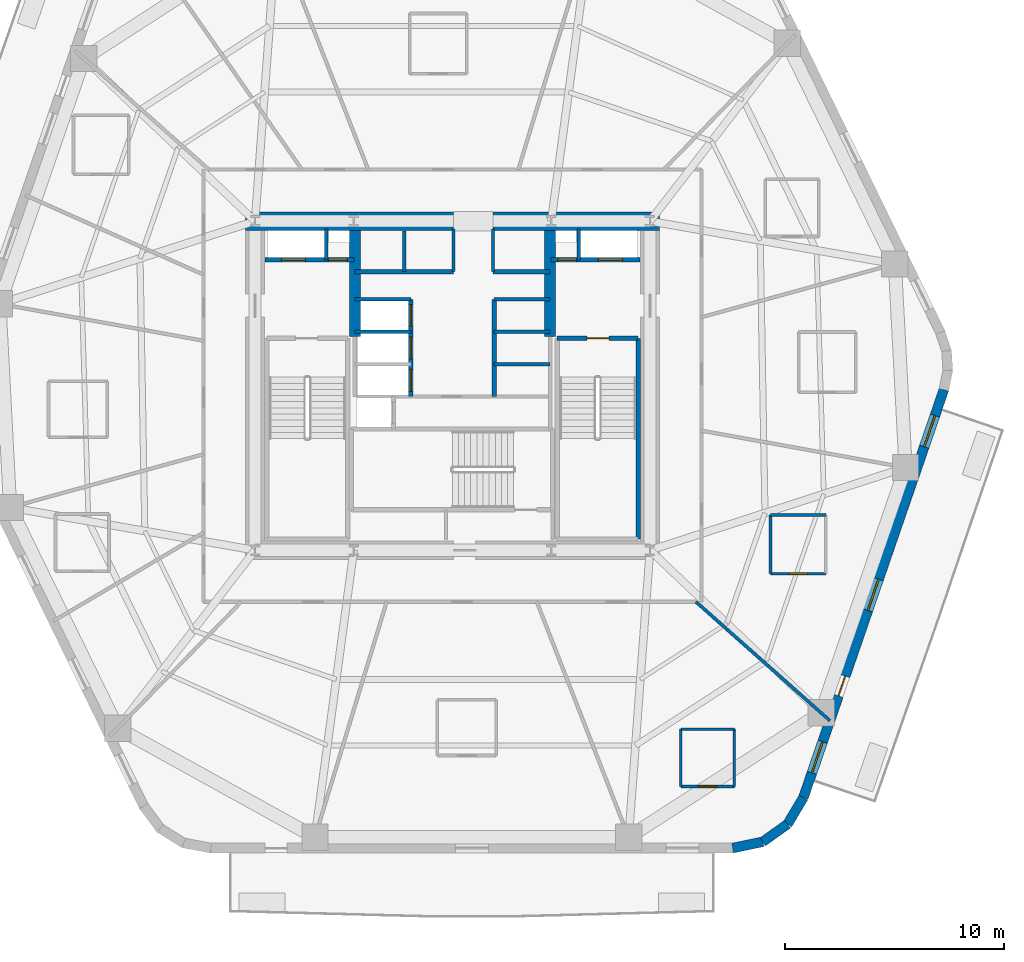
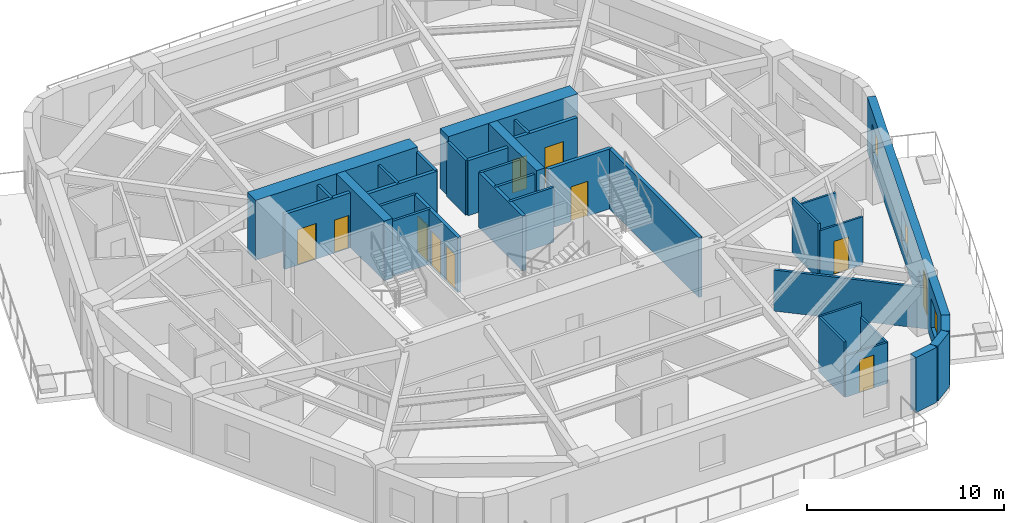
# One storey, part 4 of 8: 34 walls, 11 doors, 3 windows, 14 openings.
"""IFC4 building model written with IfcOpenShell, lengths in metres."""

from ifc_helpers import new_model, si_unit, direction, frame, frame_2d, origin, place, context, subcontext, project, spatial, rectangle, extrude, material, layer, layer_set, type_object, element, fill, save


model = new_model("IFC4")

# Units and contexts
model_context = context("Model", 3, precision=1e-05, world=origin(), true_north=direction((0.0, 1.0)))
body_context = subcontext(model_context, "Body", "Model", "MODEL_VIEW")
ifc_project = project(units=[si_unit("LENGTHUNIT", "METRE"), si_unit("AREAUNIT", "SQUARE_METRE"), si_unit("VOLUMEUNIT", "CUBIC_METRE"), si_unit("PLANEANGLEUNIT", "RADIAN"), si_unit("MASSUNIT", "GRAM", prefix="KILO")], contexts=[model_context])

# Site, building, storey
site_placement = place(None, origin())
site = spatial("IfcSite", under=ifc_project, at=site_placement, CompositionType="ELEMENT")
building_placement = place(site_placement, origin())
building = spatial("IfcBuilding", under=site, at=building_placement, Name="Kilnhurst Terrace Hotel", CompositionType="ELEMENT")
storey_placement = place(building_placement, frame((0.0, 0.0, 132.10009765625)))
storey = spatial("IfcBuildingStorey", under=building, at=storey_placement, Name="L32", CompositionType="ELEMENT", Elevation=132.10009765625)

# Walls
ifc_material_1 = material(Name="Precast concrete C40/50", Category="concrete")
ifc_layer_1 = layer(ifc_material_1, 0.449951171875, Name="Precast concrete C40/50")
ifc_layer_set_1 = layer_set([ifc_layer_1], Name="Precast concrete C40/50")
wall_type_1 = type_object("IfcWallType", Name="WL-BRK-450", PredefinedType="SOLIDWALL", material=ifc_layer_set_1)
wall_1_placement = place(storey_placement, frame((12.7705078125, -21.074951171875, 0.0), z_axis=(0.0, 0.0, 1.0), x_axis=(0.97874281988, 0.205091424819, 0.0)))
element("IfcWall", 1, at=wall_1_placement, inside=storey, type_object=wall_type_1, Name="L32 Rounded Corner Brick Wall C2.1", PredefinedType="SOLIDWALL", context=body_context, shape_type="SweptSolid", body=[
    extrude(rectangle(XDim=1.40576171875, YDim=0.449951171875, at=frame_2d((0.702880859375, 0.0))), origin(), (0.0, 0.0, 1.0), 3.39990234375),
])
wall_2_placement = place(storey_placement, frame((14.146484375, -20.78662109375, 0.0), z_axis=(0.0, 0.0, 1.0), x_axis=(0.814162929117, 0.580636482536, 0.0)))
element("IfcWall", 2, at=wall_2_placement, inside=storey, type_object=wall_type_1, Name="L32 Rounded Corner Brick Wall C2.2", PredefinedType="SOLIDWALL", context=body_context, shape_type="SweptSolid", body=[
    extrude(rectangle(XDim=1.382080078125, YDim=0.449951171875, at=frame_2d((0.69091796875, 0.0))), origin(), (0.0, 0.0, 1.0), 3.39990234375),
])
wall_3_placement = place(storey_placement, frame((15.271728515625, -19.984130859375, 0.0), z_axis=(0.0, 0.0, 1.0), x_axis=(0.512579347361, 0.858639862025, 0.0)))
element("IfcWall", 3, at=wall_3_placement, inside=storey, type_object=wall_type_1, Name="L32 Rounded Corner Brick Wall C2.3", PredefinedType="SOLIDWALL", context=body_context, shape_type="SweptSolid", body=[
    extrude(rectangle(XDim=1.406005859375, YDim=0.449951171875, at=frame_2d((0.703125, 0.0))), origin(), (0.0, 0.0, 1.0), 3.39990234375),
])

# Wall, openings, door, windows
wall_4_placement = place(storey_placement, frame((15.992431640625, -18.77685546875, 0.0), z_axis=(0.0, 0.0, 1.0), x_axis=(0.325606988926, 0.945505202927, 0.0)))
wall_4 = element("IfcWall", 4, at=wall_4_placement, inside=storey, type_object=wall_type_1, Name="L32 Exterior Brick Facade Wall F2", PredefinedType="SOLIDWALL", context=body_context, shape_type="SweptSolid", body=[
    extrude(rectangle(XDim=19.66943359375, YDim=0.449951171875, at=frame_2d((9.834716796875, 0.0))), origin(), (0.0, 0.0, 1.0), 3.39990234375),
])
opening_1_placement = place(wall_4_placement, frame((4.908935546875, 0.0, 0.0)))
opening_1 = element("IfcOpeningElement", 5, at=opening_1_placement, cuts=wall_4, Name="Opening BD-950", PredefinedType="OPENING", context=body_context, shape_type="SweptSolid", body=[
    extrude(rectangle(XDim=0.949951171875, YDim=2.14990234375, at=frame_2d((0.47509765625, 1.074951171875))), frame((0.0, 0.23486328125, 0.0), z_axis=(0.0, -1.0, 0.0), x_axis=(1.0, 0.0, 0.0)), (0.0, 0.0, 1.0), 0.469970703125),
])
opening_2_placement = place(wall_4_placement, frame((1.197021484375, 0.0, 0.800048828125)))
opening_2 = element("IfcOpeningElement", 6, at=opening_2_placement, cuts=wall_4, Name="Opening W-02", PredefinedType="OPENING", context=body_context, shape_type="SweptSolid", body=[
    extrude(rectangle(XDim=1.5, YDim=1.800048828125, at=frame_2d((0.75, 0.89990234375))), frame((0.0, 0.23486328125, 0.0), z_axis=(0.0, -1.0, 0.0), x_axis=(1.0, 0.0, 0.0)), (0.0, 0.0, 1.0), 0.469970703125),
])
opening_3_placement = place(wall_4_placement, frame((9.030029296875, 0.0, 0.800048828125)))
opening_3 = element("IfcOpeningElement", 7, at=opening_3_placement, cuts=wall_4, Name="Opening W-02", PredefinedType="OPENING", context=body_context, shape_type="SweptSolid", body=[
    extrude(rectangle(XDim=1.5, YDim=1.800048828125, at=frame_2d((0.75, 0.89990234375))), frame((0.0, 0.23486328125, 0.0), z_axis=(0.0, -1.0, 0.0), x_axis=(1.0, 0.0, 0.0)), (0.0, 0.0, 1.0), 0.469970703125),
])
opening_4_placement = place(wall_4_placement, frame((16.91796875, 0.0, 0.800048828125)))
opening_4 = element("IfcOpeningElement", 8, at=opening_4_placement, cuts=wall_4, Name="Opening W-02", PredefinedType="OPENING", context=body_context, shape_type="SweptSolid", body=[
    extrude(rectangle(XDim=1.5, YDim=1.800048828125, at=frame_2d((0.75, 0.89990234375))), frame((0.0, 0.23486328125, 0.0), z_axis=(0.0, -1.0, 0.0), x_axis=(1.0, 0.0, 0.0)), (0.0, 0.0, 1.0), 0.469970703125),
])
ifc_material_2 = material(Name="Thermally Broken Bronze Aluminium Alloy 6063-T6 and Laminated Glass", Category="aluminium")
door_type_1 = type_object("IfcDoorType", Name="DR-EXT-BAL-950", OperationType="NOTDEFINED", PredefinedType="DOOR", material=ifc_material_2)
door_1_placement = place(opening_1_placement, origin())
door_1 = element("IfcDoor", 9, at=door_1_placement, inside=storey, type_object=door_type_1, Name="L32 Planted Balcony Door BAL-L1B", OperationType="SINGLE_SWING_RIGHT", OverallHeight=2.14990234375, OverallWidth=0.949951171875, PredefinedType="DOOR", context=body_context, shape_type="SweptSolid", body=[
    extrude(rectangle(XDim=0.949951171875, YDim=2.14990234375, at=frame_2d((0.47509765625, 1.074951171875))), frame((0.0, 0.02490234375, 0.0), z_axis=(0.0, -1.0, 0.0), x_axis=(1.0, 0.0, 0.0)), (0.0, 0.0, 1.0), 0.050048828125),
])
fill(opening_1, door_1)
ifc_material_3 = material(Name="Thermally Broken Bronze Aluminium Alloy 6063-T6 and Low-E Glass", Category="aluminium")
window_type = type_object("IfcWindowType", Name="WIN-1500X1800", PartitioningType="SINGLE_PANEL", PredefinedType="WINDOW", material=ifc_material_3)
window_1_placement = place(opening_2_placement, origin())
window_1 = element("IfcWindow", 10, at=window_1_placement, inside=storey, type_object=window_type, Name="L32 Deep-Set Masonry Window F2.1", OverallHeight=1.800048828125, OverallWidth=1.5, PartitioningType="SINGLE_PANEL", PredefinedType="WINDOW", context=body_context, shape_type="SweptSolid", body=[
    extrude(rectangle(XDim=1.5, YDim=1.800048828125, at=frame_2d((0.75, 0.89990234375))), frame((0.0, 0.030029296875, 0.0), z_axis=(0.0, -1.0, 0.0), x_axis=(1.0, 0.0, 0.0)), (0.0, 0.0, 1.0), 0.06005859375),
])
fill(opening_2, window_1)
window_2_placement = place(opening_3_placement, origin())
window_2 = element("IfcWindow", 11, at=window_2_placement, inside=storey, type_object=window_type, Name="L32 Deep-Set Masonry Window F2.2", OverallHeight=1.800048828125, OverallWidth=1.5, PartitioningType="SINGLE_PANEL", PredefinedType="WINDOW", context=body_context, shape_type="SweptSolid", body=[
    extrude(rectangle(XDim=1.5, YDim=1.800048828125, at=frame_2d((0.75, 0.89990234375))), frame((0.0, 0.030029296875, 0.0), z_axis=(0.0, -1.0, 0.0), x_axis=(1.0, 0.0, 0.0)), (0.0, 0.0, 1.0), 0.06005859375),
])
fill(opening_3, window_2)
window_3_placement = place(opening_4_placement, origin())
window_3 = element("IfcWindow", 12, at=window_3_placement, inside=storey, type_object=window_type, Name="L32 Deep-Set Masonry Window F2.3", OverallHeight=1.800048828125, OverallWidth=1.5, PartitioningType="SINGLE_PANEL", PredefinedType="WINDOW", context=body_context, shape_type="SweptSolid", body=[
    extrude(rectangle(XDim=1.5, YDim=1.800048828125, at=frame_2d((0.75, 0.89990234375))), frame((0.0, 0.030029296875, 0.0), z_axis=(0.0, -1.0, 0.0), x_axis=(1.0, 0.0, 0.0)), (0.0, 0.0, 1.0), 0.06005859375),
])
fill(opening_4, window_3)

# Walls
ifc_material_4 = material(Name="Concrete C80/95", Category="concrete")
ifc_layer_2 = layer(ifc_material_4, 0.85009765625, Name="Concrete C80/95")
ifc_layer_set_2 = layer_set([ifc_layer_2], Name="Concrete C80/95")
wall_type_2 = type_object("IfcWallType", Name="WL-CORE-850", PredefinedType="SHEAR", material=ifc_layer_set_2)
wall_5_placement = place(storey_placement, frame((-9.425048828125, 7.5, 0.0), z_axis=(0.0, 0.0, 1.0), x_axis=(1.0, 0.0, 0.0)))
element("IfcWall", 13, at=wall_5_placement, inside=storey, type_object=wall_type_2, Name="L32 Core North West Shear Wall", PredefinedType="SHEAR", context=body_context, shape_type="SweptSolid", body=[
    extrude(rectangle(XDim=9.47509765625, YDim=0.85009765625, at=frame_2d((4.737548828125, 0.0))), origin(), (0.0, 0.0, 1.0), 3.699951171875),
])
wall_6_placement = place(storey_placement, frame((1.85009765625, 7.5, 0.0), z_axis=(0.0, 0.0, 1.0), x_axis=(1.0, 0.0, 0.0)))
element("IfcWall", 14, at=wall_6_placement, inside=storey, type_object=wall_type_2, Name="L32 Core North East Shear Wall", PredefinedType="SHEAR", context=body_context, shape_type="SweptSolid", body=[
    extrude(rectangle(XDim=7.574951171875, YDim=0.85009765625, at=frame_2d((3.78759765625, 0.0))), origin(), (0.0, 0.0, 1.0), 3.699951171875),
])
ifc_material_5 = material(Name="Concrete C60/75", Category="concrete")
ifc_layer_3 = layer(ifc_material_5, 0.5, Name="Concrete C60/75")
ifc_layer_set_3 = layer_set([ifc_layer_3], Name="Concrete C60/75")
wall_type_3 = type_object("IfcWallType", Name="WL-CORE-WEB-500", PredefinedType="SHEAR", material=ifc_layer_set_3)
for number, where, z_axis, x_axis, name in (
    (15, (-4.449951171875, 2.25, 0.0), (0.0, 0.0, 1.0), (0.0, 1.0, 0.0), "L32 Core Internal West Shear Web"),
    (16, (4.449951171875, 2.25, 0.0), (0.0, 0.0, 1.0), (0.0, 1.0, 0.0), "L32 Core Internal East Shear Web"),
):
    element("IfcWall", number, at=place(storey_placement, frame(where, z_axis=z_axis, x_axis=x_axis)), inside=storey, type_object=wall_type_3, Name=name, PredefinedType="SHEAR", context=body_context, shape_type="SweptSolid", body=[
        extrude(rectangle(XDim=4.824951171875, YDim=0.5, at=frame_2d((2.41259765625, 0.0))), origin(), (0.0, 0.0, 1.0), 3.699951171875),
    ])
ifc_material_6 = material(Name="STC-58 Acoustic Twin-Frame Guestroom Demising Partition")
ifc_layer_4 = layer(ifc_material_6, 0.14990234375, Name="STC-58 Acoustic Twin-Frame Guestroom Demising Partition")
ifc_layer_set_4 = layer_set([ifc_layer_4], Name="STC-58 Acoustic Twin-Frame Guestroom Demising Partition")
wall_type_4 = type_object("IfcWallType", Name="WL-DEM-150", PredefinedType="PARTITIONING", material=ifc_layer_set_4)
wall_7_placement = place(storey_placement, frame((11.097900390625, -9.85009765625, 0.0), z_axis=(0.0, 0.0, 1.0), x_axis=(0.747904295103, -0.663806572253, 0.0)))
element("IfcWall", 17, at=wall_7_placement, inside=storey, type_object=wall_type_4, Name="L32 Interior Wall WL-L32-DEM-COL11-14-1", PredefinedType="PARTITIONING", context=body_context, shape_type="SweptSolid", body=[
    extrude(rectangle(XDim=8.160400390625, YDim=0.14990234375, at=frame_2d((4.080078125, 0.0))), origin(), (0.0, 0.0, 1.0), 2.539794921875),
])

# Wall, opening, door
ifc_material_7 = material(Name="120 mm Moisture-Resistant Tile-Backed Bathroom Partition")
ifc_layer_5 = layer(ifc_material_7, 0.1201171875, Name="120 mm Moisture-Resistant Tile-Backed Bathroom Partition")
ifc_layer_set_5 = layer_set([ifc_layer_5], Name="120 mm Moisture-Resistant Tile-Backed Bathroom Partition")
wall_type_5 = type_object("IfcWallType", Name="WL-PART-120", PredefinedType="PARTITIONING", material=ifc_layer_set_5)
wall_8_placement = place(storey_placement, frame((10.405029296875, -18.264892578125, 0.0), z_axis=(0.0, 0.0, 1.0), x_axis=(1.0, 0.0, 0.0)))
wall_8 = element("IfcWall", 18, at=wall_8_placement, inside=storey, type_object=wall_type_5, Name="L32 Interior Wall WL-L32-BTH-13-1", PredefinedType="PARTITIONING", context=body_context, shape_type="SweptSolid", body=[
    extrude(rectangle(XDim=2.43994140625, YDim=0.1201171875, at=frame_2d((1.219970703125, 0.0))), origin(), (0.0, 0.0, 1.0), 2.539794921875),
])
opening_5_placement = place(wall_8_placement, frame((0.794921875, 0.0, 0.0)))
opening_5 = element("IfcOpeningElement", 19, at=opening_5_placement, cuts=wall_8, Name="Opening D-08A", PredefinedType="OPENING", context=body_context, shape_type="SweptSolid", body=[
    extrude(rectangle(XDim=0.85009765625, YDim=2.030029296875, at=frame_2d((0.425048828125, 1.01513671875))), frame((0.0, 0.070068359375, 0.0), z_axis=(0.0, -1.0, 0.0), x_axis=(1.0, 0.0, 0.0)), (0.0, 0.0, 1.0), 0.14013671875),
])
ifc_material_8 = material(Name="Moisture-Resistant Lacquered En-suite Bathroom Door")
door_type_2 = type_object("IfcDoorType", Name="DR-INT-850", OperationType="NOTDEFINED", PredefinedType="DOOR", material=ifc_material_8)
door_2_placement = place(opening_5_placement, origin())
door_2 = element("IfcDoor", 20, at=door_2_placement, inside=storey, type_object=door_type_2, Name="L32 En-suite Bathroom Door 13", OperationType="SINGLE_SWING_RIGHT", OverallHeight=2.030029296875, OverallWidth=0.85009765625, PredefinedType="DOOR", context=body_context, shape_type="SweptSolid", body=[
    extrude(rectangle(XDim=0.85009765625, YDim=2.030029296875, at=frame_2d((0.425048828125, 1.01513671875))), frame((0.0, 0.02490234375, 0.0), z_axis=(0.0, -1.0, 0.0), x_axis=(1.0, 0.0, 0.0)), (0.0, 0.0, 1.0), 0.050048828125),
])
fill(opening_5, door_2)

# Walls
wall_9_placement = place(storey_placement, frame((12.844970703125, -18.264892578125, 0.0), z_axis=(0.0, 0.0, 1.0), x_axis=(0.0, 1.0, 0.0)))
element("IfcWall", 21, at=wall_9_placement, inside=storey, type_object=wall_type_5, Name="L32 Interior Wall WL-L32-BTH-13-2", PredefinedType="PARTITIONING", context=body_context, shape_type="SweptSolid", body=[
    extrude(rectangle(XDim=2.60986328125, YDim=0.1201171875, at=frame_2d((1.304931640625, 0.0))), origin(), (0.0, 0.0, 1.0), 2.539794921875),
])
wall_10_placement = place(storey_placement, frame((12.844970703125, -15.655029296875, 0.0), z_axis=(0.0, 0.0, 1.0), x_axis=(-1.0, 0.0, 0.0)))
element("IfcWall", 22, at=wall_10_placement, inside=storey, type_object=wall_type_5, Name="L32 Interior Wall WL-L32-BTH-13-3", PredefinedType="PARTITIONING", context=body_context, shape_type="SweptSolid", body=[
    extrude(rectangle(XDim=2.43994140625, YDim=0.1201171875, at=frame_2d((1.219970703125, 0.0))), origin(), (0.0, 0.0, 1.0), 3.39990234375),
])
wall_11_placement = place(storey_placement, frame((10.405029296875, -15.655029296875, 0.0), z_axis=(0.0, 0.0, 1.0), x_axis=(0.0, -1.0, 0.0)))
element("IfcWall", 23, at=wall_11_placement, inside=storey, type_object=wall_type_5, Name="L32 Interior Wall WL-L32-BTH-13-4", PredefinedType="PARTITIONING", context=body_context, shape_type="SweptSolid", body=[
    extrude(rectangle(XDim=2.60986328125, YDim=0.1201171875, at=frame_2d((1.304931640625, 0.0))), origin(), (0.0, 0.0, 1.0), 3.39990234375),
])

# Wall, opening, door
wall_12_placement = place(storey_placement, frame((14.493896484375, -8.570068359375, 0.0), z_axis=(0.0, 0.0, 1.0), x_axis=(1.0, 0.0, 0.0)))
wall_12 = element("IfcWall", 24, at=wall_12_placement, inside=storey, type_object=wall_type_5, Name="L32 Interior Wall WL-L32-BTH-14-1", PredefinedType="PARTITIONING", context=body_context, shape_type="SweptSolid", body=[
    extrude(rectangle(XDim=2.52001953125, YDim=0.1201171875, at=frame_2d((1.260009765625, 0.0))), origin(), (0.0, 0.0, 1.0), 2.972412109375),
])
opening_6_placement = place(wall_12_placement, frame((0.8349609375, 0.0, 0.0)))
opening_6 = element("IfcOpeningElement", 25, at=opening_6_placement, cuts=wall_12, Name="Opening D-08A", PredefinedType="OPENING", context=body_context, shape_type="SweptSolid", body=[
    extrude(rectangle(XDim=0.85009765625, YDim=2.030029296875, at=frame_2d((0.425048828125, 1.01513671875))), frame((0.0, 0.070068359375, 0.0), z_axis=(0.0, -1.0, 0.0), x_axis=(1.0, 0.0, 0.0)), (0.0, 0.0, 1.0), 0.14013671875),
])
door_3_placement = place(opening_6_placement, origin())
door_3 = element("IfcDoor", 26, at=door_3_placement, inside=storey, type_object=door_type_2, Name="L32 En-suite Bathroom Door 14", OperationType="SINGLE_SWING_LEFT", OverallHeight=2.030029296875, OverallWidth=0.85009765625, PredefinedType="DOOR", context=body_context, shape_type="SweptSolid", body=[
    extrude(rectangle(XDim=0.85009765625, YDim=2.030029296875, at=frame_2d((0.425048828125, 1.01513671875))), frame((0.0, 0.02490234375, 0.0), z_axis=(0.0, -1.0, 0.0), x_axis=(1.0, 0.0, 0.0)), (0.0, 0.0, 1.0), 0.050048828125),
])
fill(opening_6, door_3)

# Walls
wall_13_placement = place(storey_placement, frame((17.013916015625, -5.889892578125, 0.0), z_axis=(0.0, 0.0, 1.0), x_axis=(-1.0, 0.0, 0.0)))
element("IfcWall", 27, at=wall_13_placement, inside=storey, type_object=wall_type_5, Name="L32 Interior Wall WL-L32-BTH-14-3", PredefinedType="PARTITIONING", context=body_context, shape_type="SweptSolid", body=[
    extrude(rectangle(XDim=2.52001953125, YDim=0.1201171875, at=frame_2d((1.260009765625, 0.0))), origin(), (0.0, 0.0, 1.0), 2.83984375),
])
wall_14_placement = place(storey_placement, frame((14.493896484375, -5.889892578125, 0.0), z_axis=(0.0, 0.0, 1.0), x_axis=(0.0, -1.0, 0.0)))
element("IfcWall", 28, at=wall_14_placement, inside=storey, type_object=wall_type_5, Name="L32 Interior Wall WL-L32-BTH-14-4", PredefinedType="PARTITIONING", context=body_context, shape_type="SweptSolid", body=[
    extrude(rectangle(XDim=2.68017578125, YDim=0.1201171875, at=frame_2d((1.340087890625, 0.0))), origin(), (0.0, 0.0, 1.0), 3.39990234375),
])
ifc_material_9 = material(Name="Fire-Rated Gypsum Shaftliner Assembly")
ifc_layer_6 = layer(ifc_material_9, 0.14990234375, Name="Fire-Rated Gypsum Shaftliner Assembly")
ifc_layer_set_6 = layer_set([ifc_layer_6], Name="Fire-Rated Gypsum Shaftliner Assembly")
wall_type_6 = type_object("IfcWallType", Name="WL-SHAFT-150", PredefinedType="PARTITIONING", material=ifc_layer_set_6)
for number, where, z_axis, x_axis, name in (
    (29, (-5.75, 5.739990234375, 0.0), (0.0, 0.0, 1.0), (0.0, 1.0, 0.0), "L32 Interior Wall WL-L32-RIS1-DIV"),
    (30, (5.75, 5.739990234375, 0.0), (0.0, 0.0, 1.0), (0.0, 1.0, 0.0), "L32 Interior Wall WL-L32-RIS2-DIV"),
):
    element("IfcWall", number, at=place(storey_placement, frame(where, z_axis=z_axis, x_axis=x_axis)), inside=storey, type_object=wall_type_6, Name=name, PredefinedType="PARTITIONING", context=body_context, shape_type="SweptSolid", body=[
        extrude(rectangle(XDim=1.409912109375, YDim=0.14990234375, at=frame_2d((0.705078125, 0.0))), origin(), (0.0, 0.0, 1.0), 3.39990234375),
    ])
wall_15_placement = place(storey_placement, frame((-2.199951171875, 5.199951171875, 0.0), z_axis=(0.0, 0.0, 1.0), x_axis=(0.0, 1.0, 0.0)))
element("IfcWall", 31, at=wall_15_placement, inside=storey, type_object=wall_type_6, Name="L32 Interior Wall WL-L32-HR-DIV1", PredefinedType="PARTITIONING", context=body_context, shape_type="SweptSolid", body=[
    extrude(rectangle(XDim=1.85009765625, YDim=0.14990234375, at=frame_2d((0.925048828125, 0.0))), origin(), (0.0, 0.0, 1.0), 3.39990234375),
])
for number, where, z_axis, x_axis, name in (
    (32, (0.050048828125, 5.199951171875, 0.0), (0.0, 0.0, 1.0), (0.0, 1.0, 0.0), "L32 Interior Wall WL-L32-HR-PORTAL-W"),
    (33, (1.85009765625, 5.199951171875, 0.0), (0.0, 0.0, 1.0), (0.0, 1.0, 0.0), "L32 Interior Wall WL-L32-HR-PORTAL-E"),
):
    element("IfcWall", number, at=place(storey_placement, frame(where, z_axis=z_axis, x_axis=x_axis)), inside=storey, type_object=wall_type_6, Name=name, PredefinedType="PARTITIONING", context=body_context, shape_type="SweptSolid", body=[
        extrude(rectangle(XDim=1.949951171875, YDim=0.14990234375, at=frame_2d((0.97509765625, 0.0))), origin(), (0.0, 0.0, 1.0), 3.39990234375),
    ])
for number, where, z_axis, x_axis, name in (
    (34, (-4.449951171875, 3.93994140625, 0.0), (0.0, 0.0, 1.0), (1.0, 0.0, 0.0), "L32 Interior Wall WL-L32-LR-NORTH"),
    (35, (-4.449951171875, 2.4599609375, 0.0), (0.0, 0.0, 1.0), (1.0, 0.0, 0.0), "L32 Interior Wall WL-L32-LR-D2"),
    (36, (1.89990234375, 3.93994140625, 0.0), (0.0, 0.0, 1.0), (1.0, 0.0, 0.0), "L32 Interior Wall WL-L32-MR-NORTH"),
    (37, (1.89990234375, 0.97998046875, 0.0), (0.0, 0.0, 1.0), (1.0, 0.0, 0.0), "L32 Interior Wall WL-L32-MR-D1"),
    (38, (1.89990234375, 2.4599609375, 0.0), (0.0, 0.0, 1.0), (1.0, 0.0, 0.0), "L32 Interior Wall WL-L32-MR-D2"),
):
    element("IfcWall", number, at=place(storey_placement, frame(where, z_axis=z_axis, x_axis=x_axis)), inside=storey, type_object=wall_type_6, Name=name, PredefinedType="PARTITIONING", context=body_context, shape_type="SweptSolid", body=[
        extrude(rectangle(XDim=2.550048828125, YDim=0.14990234375, at=frame_2d((1.27490234375, 0.0))), origin(), (0.0, 0.0, 1.0), 3.39990234375),
    ])

# Wall, openings, doors
ifc_material_10 = material(Name="Autoclaved Aerated Concrete C30/37 and Gypsum Shaft Assembly", Category="concrete")
ifc_layer_7 = layer(ifc_material_10, 0.199951171875, Name="Autoclaved Aerated Concrete C30/37 and Gypsum Shaft Assembly")
ifc_layer_set_7 = layer_set([ifc_layer_7], Name="Autoclaved Aerated Concrete C30/37 and Gypsum Shaft Assembly")
wall_type_7 = type_object("IfcWallType", Name="WL-SHAFT-200", PredefinedType="PARTITIONING", material=ifc_layer_set_7)
wall_16_placement = place(storey_placement, frame((-8.550048828125, 5.739990234375, 0.0), z_axis=(0.0, 0.0, 1.0), x_axis=(1.0, 0.0, 0.0)))
wall_16 = element("IfcWall", 39, at=wall_16_placement, inside=storey, type_object=wall_type_7, Name="L32 Interior Wall WL-L32-FSAE1-S", PredefinedType="PARTITIONING", context=body_context, shape_type="SweptSolid", body=[
    extrude(rectangle(XDim=4.050048828125, YDim=0.199951171875, at=frame_2d((2.02490234375, 0.0))), origin(), (0.0, 0.0, 1.0), 3.39990234375),
])
opening_7_placement = place(wall_16_placement, frame((0.75, 0.0, 0.0)))
opening_7 = element("IfcOpeningElement", 40, at=opening_7_placement, cuts=wall_16, Name="Opening LD-F1", PredefinedType="OPENING", context=body_context, shape_type="SweptSolid", body=[
    extrude(rectangle(XDim=1.10009765625, YDim=2.199951171875, at=frame_2d((0.550048828125, 1.10009765625))), frame((0.0, 0.10986328125, 0.0), z_axis=(0.0, -1.0, 0.0), x_axis=(1.0, 0.0, 0.0)), (0.0, 0.0, 1.0), 0.219970703125),
])
opening_8_placement = place(wall_16_placement, frame((2.89990234375, 0.0, 0.0)))
opening_8 = element("IfcOpeningElement", 41, at=opening_8_placement, cuts=wall_16, Name="Opening D-60D", PredefinedType="OPENING", context=body_context, shape_type="SweptSolid", body=[
    extrude(rectangle(XDim=0.85009765625, YDim=2.030029296875, at=frame_2d((0.425048828125, 1.01513671875))), frame((0.0, 0.10986328125, 0.0), z_axis=(0.0, -1.0, 0.0), x_axis=(1.0, 0.0, 0.0)), (0.0, 0.0, 1.0), 0.219970703125),
])
ifc_material_11 = material(Name="Painted Hollow Metal Steel ASTM A36 Riser Door", Category="steel")
door_type_3 = type_object("IfcDoorType", Name="DR-FD60-850", OperationType="NOTDEFINED", PredefinedType="DOOR", material=ifc_material_11)
door_4_placement = place(opening_8_placement, origin())
door_4 = element("IfcDoor", 42, at=door_4_placement, inside=storey, type_object=door_type_3, Name="L32 Electrical Riser Door", OperationType="SINGLE_SWING_LEFT", OverallHeight=2.030029296875, OverallWidth=0.85009765625, PredefinedType="DOOR", context=body_context, shape_type="SweptSolid", body=[
    extrude(rectangle(XDim=0.85009765625, YDim=2.030029296875, at=frame_2d((0.425048828125, 1.01513671875))), frame((0.0, 0.02490234375, 0.0), z_axis=(0.0, -1.0, 0.0), x_axis=(1.0, 0.0, 0.0)), (0.0, 0.0, 1.0), 0.050048828125),
])
fill(opening_8, door_4)
ifc_material_12 = material(Name="Bronze-Anodized Stainless Steel AISI 316L Sliding Door", Category="steel")
door_type_4 = type_object("IfcDoorType", Name="DR-LIFT-1100", OperationType="NOTDEFINED", PredefinedType="DOOR", material=ifc_material_12)
door_5_placement = place(opening_7_placement, origin())
door_5 = element("IfcDoor", 43, at=door_5_placement, inside=storey, type_object=door_type_4, Name="L32 FSAE-1 Landing Door", OperationType="SLIDING_TO_LEFT", OverallHeight=2.199951171875, OverallWidth=1.10009765625, PredefinedType="DOOR", context=body_context, shape_type="SweptSolid", body=[
    extrude(rectangle(XDim=1.10009765625, YDim=2.199951171875, at=frame_2d((0.550048828125, 1.10009765625))), frame((0.0, 0.02490234375, 0.0), z_axis=(0.0, -1.0, 0.0), x_axis=(1.0, 0.0, 0.0)), (0.0, 0.0, 1.0), 0.050048828125),
])
fill(opening_7, door_5)

wall_17_placement = place(storey_placement, frame((4.5, 5.739990234375, 0.0), z_axis=(0.0, 0.0, 1.0), x_axis=(1.0, 0.0, 0.0)))
wall_17 = element("IfcWall", 44, at=wall_17_placement, inside=storey, type_object=wall_type_7, Name="L32 Interior Wall WL-L32-FSAE2-S", PredefinedType="PARTITIONING", context=body_context, shape_type="SweptSolid", body=[
    extrude(rectangle(XDim=4.050048828125, YDim=0.199951171875, at=frame_2d((2.02490234375, 0.0))), origin(), (0.0, 0.0, 1.0), 3.39990234375),
])
opening_9_placement = place(wall_17_placement, frame((0.300048828125, 0.0, 0.0)))
opening_9 = element("IfcOpeningElement", 45, at=opening_9_placement, cuts=wall_17, Name="Opening D-60D", PredefinedType="OPENING", context=body_context, shape_type="SweptSolid", body=[
    extrude(rectangle(XDim=0.85009765625, YDim=2.030029296875, at=frame_2d((0.425048828125, 1.01513671875))), frame((0.0, 0.10986328125, 0.0), z_axis=(0.0, -1.0, 0.0), x_axis=(1.0, 0.0, 0.0)), (0.0, 0.0, 1.0), 0.219970703125),
])
opening_10_placement = place(wall_17_placement, frame((2.14990234375, 0.0, 0.0)))
opening_10 = element("IfcOpeningElement", 46, at=opening_10_placement, cuts=wall_17, Name="Opening LD-F2", PredefinedType="OPENING", context=body_context, shape_type="SweptSolid", body=[
    extrude(rectangle(XDim=1.10009765625, YDim=2.199951171875, at=frame_2d((0.550048828125, 1.10009765625))), frame((0.0, 0.10986328125, 0.0), z_axis=(0.0, -1.0, 0.0), x_axis=(1.0, 0.0, 0.0)), (0.0, 0.0, 1.0), 0.219970703125),
])
door_6_placement = place(opening_9_placement, origin())
door_6 = element("IfcDoor", 47, at=door_6_placement, inside=storey, type_object=door_type_3, Name="L32 Telecom Riser Door", OperationType="SINGLE_SWING_RIGHT", OverallHeight=2.030029296875, OverallWidth=0.85009765625, PredefinedType="DOOR", context=body_context, shape_type="SweptSolid", body=[
    extrude(rectangle(XDim=0.85009765625, YDim=2.030029296875, at=frame_2d((0.425048828125, 1.01513671875))), frame((0.0, 0.02490234375, 0.0), z_axis=(0.0, -1.0, 0.0), x_axis=(1.0, 0.0, 0.0)), (0.0, 0.0, 1.0), 0.050048828125),
])
fill(opening_9, door_6)
door_7_placement = place(opening_10_placement, origin())
door_7 = element("IfcDoor", 48, at=door_7_placement, inside=storey, type_object=door_type_4, Name="L32 FSAE-2 Landing Door", OperationType="SLIDING_TO_RIGHT", OverallHeight=2.199951171875, OverallWidth=1.10009765625, PredefinedType="DOOR", context=body_context, shape_type="SweptSolid", body=[
    extrude(rectangle(XDim=1.10009765625, YDim=2.199951171875, at=frame_2d((0.550048828125, 1.10009765625))), frame((0.0, 0.02490234375, 0.0), z_axis=(0.0, -1.0, 0.0), x_axis=(1.0, 0.0, 0.0)), (0.0, 0.0, 1.0), 0.050048828125),
])
fill(opening_10, door_7)

# Walls
wall_18_placement = place(storey_placement, frame((-4.449951171875, 5.199951171875, 0.0), z_axis=(0.0, 0.0, 1.0), x_axis=(1.0, 0.0, 0.0)))
element("IfcWall", 49, at=wall_18_placement, inside=storey, type_object=wall_type_7, Name="L32 Interior Wall WL-L32-HR-SW", PredefinedType="PARTITIONING", context=body_context, shape_type="SweptSolid", body=[
    extrude(rectangle(XDim=4.5, YDim=0.199951171875, at=frame_2d((2.25, 0.0))), origin(), (0.0, 0.0, 1.0), 3.39990234375),
])
wall_19_placement = place(storey_placement, frame((1.85009765625, 5.199951171875, 0.0), z_axis=(0.0, 0.0, 1.0), x_axis=(1.0, 0.0, 0.0)))
element("IfcWall", 50, at=wall_19_placement, inside=storey, type_object=wall_type_7, Name="L32 Interior Wall WL-L32-HR-SE", PredefinedType="PARTITIONING", context=body_context, shape_type="SweptSolid", body=[
    extrude(rectangle(XDim=2.599853515625, YDim=0.199951171875, at=frame_2d((1.2998046875, 0.0))), origin(), (0.0, 0.0, 1.0), 3.39990234375),
])

# Wall, openings, doors
wall_20_placement = place(storey_placement, frame((-1.89990234375, -0.5, 0.0), z_axis=(0.0, 0.0, 1.0), x_axis=(0.0, 1.0, 0.0)))
wall_20 = element("IfcWall", 51, at=wall_20_placement, inside=storey, type_object=wall_type_7, Name="L32 Interior Wall WL-L32-LR-FRONT", PredefinedType="PARTITIONING", context=body_context, shape_type="SweptSolid", body=[
    extrude(rectangle(XDim=4.43994140625, YDim=0.199951171875, at=frame_2d((2.219970703125, 0.0))), origin(), (0.0, 0.0, 1.0), 3.39990234375),
])
opening_11_placement = place(wall_20_placement, frame((0.239990234375, 0.0, 0.0)))
opening_11 = element("IfcOpeningElement", 52, at=opening_11_placement, cuts=wall_20, Name="Opening LD-LR", PredefinedType="OPENING", context=body_context, shape_type="SweptSolid", body=[
    extrude(rectangle(XDim=1.0, YDim=2.199951171875, at=frame_2d((0.5, 1.10009765625))), frame((0.0, 0.10986328125, 0.0), z_axis=(0.0, -1.0, 0.0), x_axis=(1.0, 0.0, 0.0)), (0.0, 0.0, 1.0), 0.219970703125),
])
opening_12_placement = place(wall_20_placement, frame((1.719970703125, 0.0, 0.0)))
opening_12 = element("IfcOpeningElement", 53, at=opening_12_placement, cuts=wall_20, Name="Opening LD-LR", PredefinedType="OPENING", context=body_context, shape_type="SweptSolid", body=[
    extrude(rectangle(XDim=1.0, YDim=2.199951171875, at=frame_2d((0.5, 1.10009765625))), frame((0.0, 0.10986328125, 0.0), z_axis=(0.0, -1.0, 0.0), x_axis=(1.0, 0.0, 0.0)), (0.0, 0.0, 1.0), 0.219970703125),
])
opening_13_placement = place(wall_20_placement, frame((3.199951171875, 0.0, 0.0)))
opening_13 = element("IfcOpeningElement", 54, at=opening_13_placement, cuts=wall_20, Name="Opening LD-LR", PredefinedType="OPENING", context=body_context, shape_type="SweptSolid", body=[
    extrude(rectangle(XDim=1.0, YDim=2.199951171875, at=frame_2d((0.5, 1.10009765625))), frame((0.0, 0.10986328125, 0.0), z_axis=(0.0, -1.0, 0.0), x_axis=(1.0, 0.0, 0.0)), (0.0, 0.0, 1.0), 0.219970703125),
])
door_type_5 = type_object("IfcDoorType", Name="DR-LIFT-1000", OperationType="NOTDEFINED", PredefinedType="DOOR", material=ifc_material_12)
door_8_placement = place(opening_11_placement, origin())
door_8 = element("IfcDoor", 55, at=door_8_placement, inside=storey, type_object=door_type_5, Name="L32 Low Rise Lift LR-1 Landing Door", OperationType="SLIDING_TO_LEFT", OverallHeight=2.199951171875, OverallWidth=1.0, PredefinedType="DOOR", context=body_context, shape_type="SweptSolid", body=[
    extrude(rectangle(XDim=1.0, YDim=2.199951171875, at=frame_2d((0.5, 1.10009765625))), frame((0.0, 0.02490234375, 0.0), z_axis=(0.0, -1.0, 0.0), x_axis=(1.0, 0.0, 0.0)), (0.0, 0.0, 1.0), 0.050048828125),
])
fill(opening_11, door_8)
door_9_placement = place(opening_12_placement, origin())
door_9 = element("IfcDoor", 56, at=door_9_placement, inside=storey, type_object=door_type_5, Name="L32 Low Rise Lift LR-2 Landing Door", OperationType="SLIDING_TO_LEFT", OverallHeight=2.199951171875, OverallWidth=1.0, PredefinedType="DOOR", context=body_context, shape_type="SweptSolid", body=[
    extrude(rectangle(XDim=1.0, YDim=2.199951171875, at=frame_2d((0.5, 1.10009765625))), frame((0.0, 0.02490234375, 0.0), z_axis=(0.0, -1.0, 0.0), x_axis=(1.0, 0.0, 0.0)), (0.0, 0.0, 1.0), 0.050048828125),
])
fill(opening_12, door_9)
door_10_placement = place(opening_13_placement, origin())
door_10 = element("IfcDoor", 57, at=door_10_placement, inside=storey, type_object=door_type_5, Name="L32 Low Rise Lift LR-3 Landing Door", OperationType="SLIDING_TO_LEFT", OverallHeight=2.199951171875, OverallWidth=1.0, PredefinedType="DOOR", context=body_context, shape_type="SweptSolid", body=[
    extrude(rectangle(XDim=1.0, YDim=2.199951171875, at=frame_2d((0.5, 1.10009765625))), frame((0.0, 0.02490234375, 0.0), z_axis=(0.0, -1.0, 0.0), x_axis=(1.0, 0.0, 0.0)), (0.0, 0.0, 1.0), 0.050048828125),
])
fill(opening_13, door_10)

# Walls
wall_21_placement = place(storey_placement, frame((1.89990234375, -0.5, 0.0), z_axis=(0.0, 0.0, 1.0), x_axis=(0.0, 1.0, 0.0)))
element("IfcWall", 58, at=wall_21_placement, inside=storey, type_object=wall_type_7, Name="L32 Interior Wall WL-L32-MR-FRONT", PredefinedType="PARTITIONING", context=body_context, shape_type="SweptSolid", body=[
    extrude(rectangle(XDim=4.43994140625, YDim=0.199951171875, at=frame_2d((2.219970703125, 0.0))), origin(), (0.0, 0.0, 1.0), 3.39990234375),
])
ifc_material_13 = material(Name="Concrete C50/60", Category="concrete")
ifc_layer_8 = layer(ifc_material_13, 0.199951171875, Name="Concrete C50/60")
ifc_layer_set_8 = layer_set([ifc_layer_8], Name="Concrete C50/60")
wall_type_8 = type_object("IfcWallType", Name="WL-STAIR-RC-200", PredefinedType="SHEAR", material=ifc_layer_set_8)
wall_22_placement = place(storey_placement, frame((8.4580078125, -6.985107421875, 0.0), z_axis=(0.0, 0.0, 1.0), x_axis=(0.0, 1.0, 0.0)))
element("IfcWall", 59, at=wall_22_placement, inside=storey, type_object=wall_type_8, Name="L32 Structural Stair Shaft Wall WL-L32-ST2-E", PredefinedType="SHEAR", context=body_context, shape_type="SweptSolid", body=[
    extrude(rectangle(XDim=9.14306640625, YDim=0.199951171875, at=frame_2d((4.571533203125, 0.0))), origin(), (0.0, 0.0, 1.0), 3.699951171875),
])

# Wall, opening, door
wall_23_placement = place(storey_placement, frame((4.77197265625, 2.157958984375, 0.0), z_axis=(0.0, 0.0, 1.0), x_axis=(1.0, 0.0, 0.0)))
wall_23 = element("IfcWall", 60, at=wall_23_placement, inside=storey, type_object=wall_type_8, Name="L32 Structural Stair Shaft Wall WL-L32-ST2-N", PredefinedType="SHEAR", context=body_context, shape_type="SweptSolid", body=[
    extrude(rectangle(XDim=3.68603515625, YDim=0.199951171875, at=frame_2d((1.843017578125, 0.0))), origin(), (0.0, 0.0, 1.0), 3.699951171875),
])
opening_14_placement = place(wall_23_placement, frame((1.35009765625, 0.0, 0.0)))
opening_14 = element("IfcOpeningElement", 61, at=opening_14_placement, cuts=wall_23, Name="Opening D-90B", PredefinedType="OPENING", context=body_context, shape_type="SweptSolid", body=[
    extrude(rectangle(XDim=1.0, YDim=2.14990234375, at=frame_2d((0.5, 1.074951171875))), frame((0.0, 0.10986328125, 0.0), z_axis=(0.0, -1.0, 0.0), x_axis=(1.0, 0.0, 0.0)), (0.0, 0.0, 1.0), 0.219970703125),
])
ifc_material_14 = material(Name="Painted Hollow Metal Steel ASTM A36 Fire Door", Category="steel")
door_type_6 = type_object("IfcDoorType", Name="DR-FD90-1000", OperationType="NOTDEFINED", PredefinedType="DOOR", material=ifc_material_14)
door_11_placement = place(opening_14_placement, origin())
door_11 = element("IfcDoor", 62, at=door_11_placement, inside=storey, type_object=door_type_6, Name="L32 Stair ST-2 Door", OperationType="SINGLE_SWING_RIGHT", OverallHeight=2.14990234375, OverallWidth=1.0, PredefinedType="DOOR", context=body_context, shape_type="SweptSolid", body=[
    extrude(rectangle(XDim=1.0, YDim=2.14990234375, at=frame_2d((0.5, 1.074951171875))), frame((0.0, 0.02490234375, 0.0), z_axis=(0.0, -1.0, 0.0), x_axis=(1.0, 0.0, 0.0)), (0.0, 0.0, 1.0), 0.050048828125),
])
fill(opening_14, door_11)

save(model, "model.ifc")
